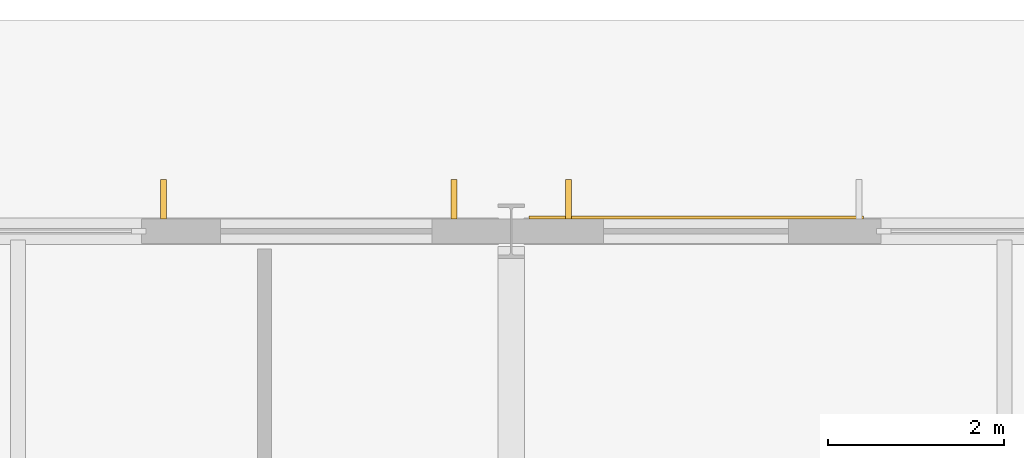
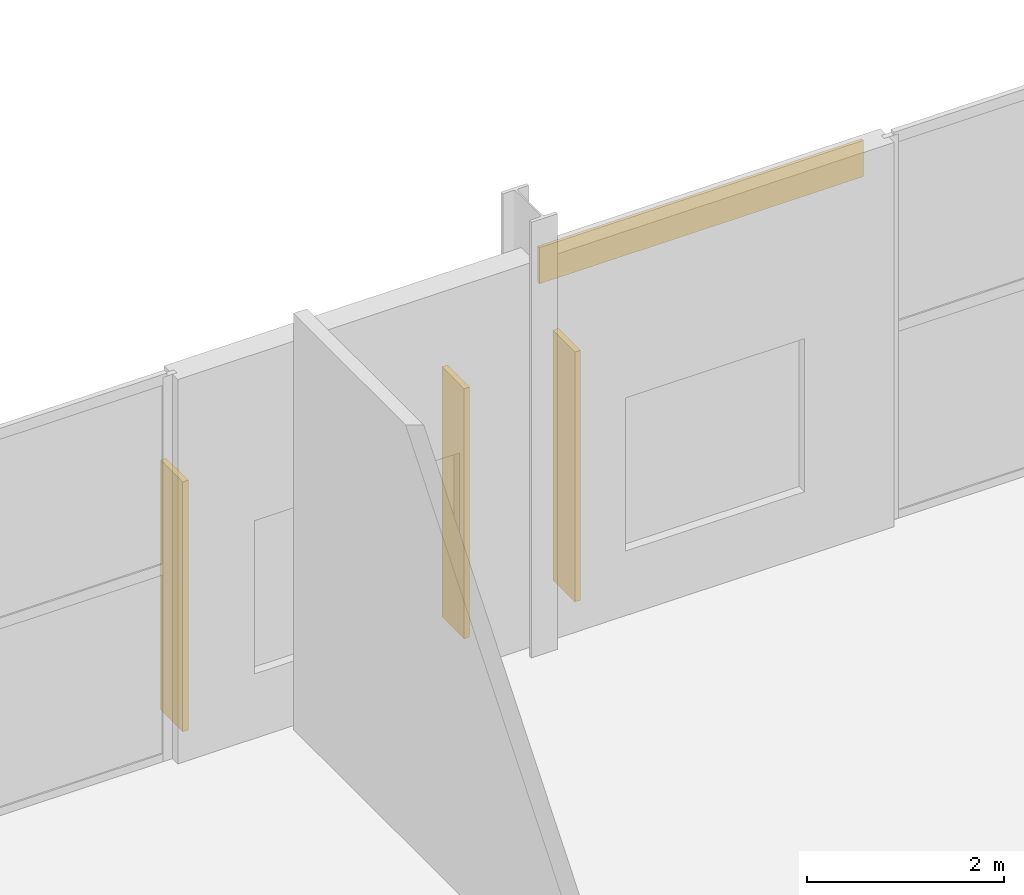
# One storey, part 80 of 87: 3 shading devices, 1 covering.
"""IFC4 building model written with IfcOpenShell, lengths in metres."""

from ifc_helpers import new_model, si_unit, direction, frame, origin, origin_2d, place, context, subcontext, project, spatial, rectangle, extrude, material, layer, layer_set, type_object, element, save


model = new_model("IFC4")

# Units and contexts
model_context = context("Model", 3, precision=1e-05, world=origin(), true_north=direction((0.0, 1.0)))
body_context = subcontext(model_context, "Body", "Model", "MODEL_VIEW")
ifc_project = project(units=[si_unit("LENGTHUNIT", "METRE"), si_unit("AREAUNIT", "SQUARE_METRE"), si_unit("VOLUMEUNIT", "CUBIC_METRE"), si_unit("PLANEANGLEUNIT", "RADIAN"), si_unit("MASSUNIT", "GRAM", prefix="KILO")], contexts=[model_context])

# Site, building, storey
site_placement = place(None, origin())
site = spatial("IfcSite", under=ifc_project, at=site_placement, CompositionType="ELEMENT")
building_placement = place(site_placement, origin())
building = spatial("IfcBuilding", under=site, at=building_placement, Name="Kimbaza Rail Terminus", CompositionType="ELEMENT")
storey_placement = place(building_placement, origin())
storey = spatial("IfcBuildingStorey", under=building, at=storey_placement, Name="L00", CompositionType="ELEMENT", Elevation=0.0)

# Covering
ifc_material_1 = material(Name="Champagne anodised aluminium spandrel cladding", Category="aluminium")
ifc_layer = layer(ifc_material_1, 0.034912109375)
ifc_layer_set = layer_set([ifc_layer], Name="Champagne anodised aluminium spandrel cladding")
covering_type = type_object("IfcCoveringType", Name="ARC-COV-CLD1", PredefinedType="CLADDING", material=ifc_layer_set)
covering_placement = place(storey_placement, frame((141.300048828125, 133.156005859375, 4.240234375), z_axis=(0.0, 0.0, 1.0), x_axis=(1.0, 0.0, 0.0)))
element("IfcCovering", 1, at=covering_placement, inside=storey, type_object=covering_type, Name="North Spandrel Cladding L00 Bay 6", PredefinedType="CLADDING", context=body_context, shape_type="SweptSolid", body=[
    extrude(rectangle(XDim=3.800048828125, YDim=0.034912109375, at=origin_2d()), origin(), (0.0, 0.0, 1.0), 0.449951171875),
])

# Shading devices
ifc_material_2 = material(Name="Champagne anodised extruded aluminium", Category="aluminium")
shading_device_type = type_object("IfcShadingDeviceType", Name="ARC-SHD-FIN450", PredefinedType="USERDEFINED", material=ifc_material_2)
for number, where, z_axis, x_axis, name in (
    (2, (135.25, 133.363037109375, 0.14990234375), (0.0, 0.0, 1.0), (1.0, 0.0, 0.0), "North Solar Fin L00 Bay 5.3"),
    (3, (138.550048828125, 133.363037109375, 0.14990234375), (0.0, 0.0, 1.0), (1.0, 0.0, 0.0), "North Solar Fin L00 Bay 5.4"),
    (4, (139.85009765625, 133.363037109375, 0.14990234375), (0.0, 0.0, 1.0), (1.0, 0.0, 0.0), "North Solar Fin L00 Bay 6.1"),
):
    element("IfcShadingDevice", number, at=place(storey_placement, frame(where, z_axis=z_axis, x_axis=x_axis)), inside=storey, type_object=shading_device_type, Name=name, ObjectType="BRISE SOLEIL FIN", PredefinedType="USERDEFINED", context=body_context, shape_type="SweptSolid", body=[
        extrude(rectangle(XDim=0.06494140625, YDim=0.449951171875, at=origin_2d()), origin(), (0.0, 0.0, 1.0), 3.10009765625),
    ])

save(model, "model.ifc")
